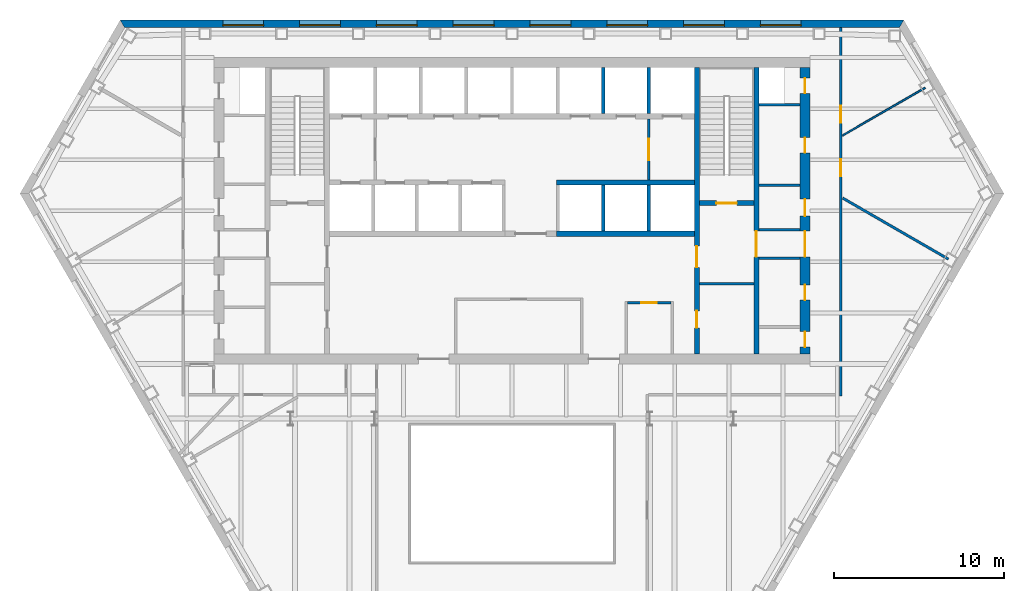
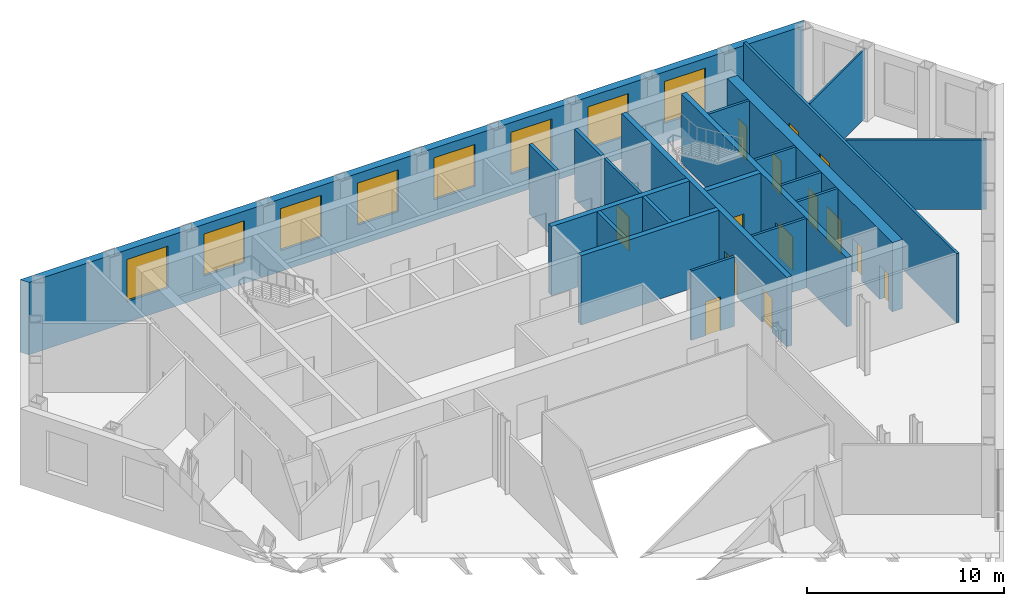
# One storey, part 7 of 11: 21 walls, 14 doors, 8 windows, 22 openings.
"""IFC4 building model written with IfcOpenShell, lengths in metres."""

from ifc_helpers import new_model, si_unit, direction, frame, frame_2d, origin, place, context, subcontext, project, spatial, polyline, rectangle, outline, extrude, material, layer, layer_set, type_object, element, fill, save


model = new_model("IFC4")

# Units and contexts
model_context = context("Model", 3, precision=1e-05, world=origin(), true_north=direction((0.0, 1.0)))
body_context = subcontext(model_context, "Body", "Model", "MODEL_VIEW")
ifc_project = project(units=[si_unit("LENGTHUNIT", "METRE"), si_unit("AREAUNIT", "SQUARE_METRE"), si_unit("VOLUMEUNIT", "CUBIC_METRE"), si_unit("PLANEANGLEUNIT", "RADIAN"), si_unit("MASSUNIT", "GRAM", prefix="KILO")], contexts=[model_context])

# Site, building, storey
site_placement = place(None, origin())
site = spatial("IfcSite", under=ifc_project, at=site_placement, CompositionType="ELEMENT")
building_placement = place(site_placement, origin())
building = spatial("IfcBuilding", under=site, at=building_placement, Name="Njiva Tower", CompositionType="ELEMENT")
storey_placement = place(building_placement, frame((0.0, 0.0, 42.3)))
storey = spatial("IfcBuildingStorey", under=building, at=storey_placement, Name="L08", CompositionType="ELEMENT", Elevation=42.3)

# Walls
ifc_material_1 = material(Name="Blockwork", Category="masonry")
ifc_layer_1 = layer(ifc_material_1, 0.15)
ifc_layer_set_1 = layer_set([ifc_layer_1], Name="Blockwork")
wall_type_1 = type_object("IfcWallType", Name="WT1 Compartment partition 150", PredefinedType="PARTITIONING", material=ifc_layer_set_1)
wall_1_placement = place(storey_placement, frame((11.0, 4.725, 0.0), z_axis=(0.0, 0.0, 1.0), x_axis=(1.0, 0.0, 0.0)))
element("IfcWall", 1, at=wall_1_placement, inside=storey, type_object=wall_type_1, Name="Room wall B", PredefinedType="PARTITIONING", context=body_context, shape_type="SweptSolid", body=[
    extrude(rectangle(XDim=3.2, YDim=0.15, at=frame_2d((1.6, 0.0))), origin(), (0.0, 0.0, 1.0), 4.3),
])
wall_2_placement = place(storey_placement, frame((14.5, 10.4885, 0.0), z_axis=(0.0, 0.0, 1.0), x_axis=(1.0, 0.0, 0.0)))
element("IfcWall", 2, at=wall_2_placement, inside=storey, type_object=wall_type_1, Name="Partition strip E10", PredefinedType="PARTITIONING", context=body_context, shape_type="SweptSolid", body=[
    extrude(rectangle(XDim=2.4, YDim=0.15, at=frame_2d((1.2, 0.0))), origin(), (0.0, 0.0, 1.0), 4.3),
])

# Wall, opening, door
wall_3_placement = place(storey_placement, frame((6.775, 3.6, 0.0), z_axis=(0.0, 0.0, 1.0), x_axis=(1.0, 0.0, 0.0)))
wall_3 = element("IfcWall", 3, at=wall_3_placement, inside=storey, type_object=wall_type_1, Name="Tenant reception wall north", PredefinedType="PARTITIONING", context=body_context, shape_type="SweptSolid", body=[
    extrude(rectangle(XDim=2.55, YDim=0.15, at=frame_2d((1.275, 0.0))), origin(), (0.0, 0.0, 1.0), 4.3),
])
opening_1_placement = place(wall_3_placement, frame((0.825, 0.0, 0.0)))
opening_1 = element("IfcOpeningElement", 4, at=opening_1_placement, cuts=wall_3, Name="Opening S02-D935", PredefinedType="OPENING", context=body_context, shape_type="SweptSolid", body=[
    extrude(rectangle(XDim=0.9, YDim=2.1, at=frame_2d((0.45, 1.05))), frame((0.0, 0.085, 0.0), z_axis=(0.0, -1.0, 0.0), x_axis=(1.0, 0.0, 0.0)), (0.0, 0.0, 1.0), 0.17),
])
ifc_material_2 = material(Name="Steel fire door, painted", Category="steel")
door_type_1 = type_object("IfcDoorType", Name="D6 Fire-rated door 900x2100", OperationType="SINGLE_SWING_LEFT", PredefinedType="DOOR", material=ifc_material_2)
door_1_placement = place(opening_1_placement, origin())
door_1 = element("IfcDoor", 5, at=door_1_placement, inside=storey, type_object=door_type_1, Name="Tenant reception door", OperationType="SINGLE_SWING_RIGHT", OverallHeight=2.1, OverallWidth=0.9, PredefinedType="DOOR", context=body_context, shape_type="SweptSolid", body=[
    extrude(rectangle(XDim=0.9, YDim=2.1, at=frame_2d((0.45, 1.05))), frame((0.0, 0.025, 0.0), z_axis=(0.0, -1.0, 0.0), x_axis=(1.0, 0.0, 0.0)), (0.0, 0.0, 1.0), 0.05),
])
fill(opening_1, door_1)

# Wall, openings, doors
ifc_material_3 = material(Name="Concrete C40/50", Category="concrete")
ifc_layer_2 = layer(ifc_material_3, 0.3)
ifc_layer_set_2 = layer_set([ifc_layer_2], Name="Concrete C40/50")
wall_type_2 = type_object("IfcWallType", Name="WT10 Stair enclosure wall 300", PredefinedType="SHEAR", material=ifc_layer_set_2)
wall_4_placement = place(storey_placement, frame((10.85, 0.6, 0.0), z_axis=(0.0, 0.0, 1.0), x_axis=(0.0, 1.0, 0.0)))
wall_4 = element("IfcWall", 6, at=wall_4_placement, inside=storey, type_object=wall_type_2, Name="Stair wall east inner", PredefinedType="SHEAR", context=body_context, shape_type="SweptSolid", body=[
    extrude(rectangle(XDim=16.8, YDim=0.3, at=frame_2d((8.4, 0.0))), origin(), (0.0, 0.0, 1.0), 4.3),
])
opening_2_placement = place(wall_4_placement, frame((5.075, 0.0, 0.0)))
opening_2 = element("IfcOpeningElement", 7, at=opening_2_placement, cuts=wall_4, Name="Opening S02-D918", PredefinedType="OPENING", context=body_context, shape_type="SweptSolid", body=[
    extrude(rectangle(XDim=1.25, YDim=2.1, at=frame_2d((0.625, 1.05))), frame((0.0, 0.16, 0.0), z_axis=(0.0, -1.0, 0.0), x_axis=(1.0, 0.0, 0.0)), (0.0, 0.0, 1.0), 0.32),
])
opening_3_placement = place(wall_4_placement, frame((1.525, 0.0, 0.0)))
opening_3 = element("IfcOpeningElement", 8, at=opening_3_placement, cuts=wall_4, Name="Opening S02-D919", PredefinedType="OPENING", context=body_context, shape_type="SweptSolid", body=[
    extrude(rectangle(XDim=1.0, YDim=2.1, at=frame_2d((0.5, 1.05))), frame((0.0, 0.16, 0.0), z_axis=(0.0, -1.0, 0.0), x_axis=(1.0, 0.0, 0.0)), (0.0, 0.0, 1.0), 0.32),
])
ifc_material_4 = material(Name="Steel door, painted", Category="steel")
door_type_2 = type_object("IfcDoorType", Name="D5 Steel door 1000x2100", OperationType="SINGLE_SWING_LEFT", PredefinedType="DOOR", material=ifc_material_4)
door_2_placement = place(opening_3_placement, origin())
door_2 = element("IfcDoor", 9, at=door_2_placement, inside=storey, type_object=door_type_2, Name="Prayer room door", OperationType="SINGLE_SWING_LEFT", OverallHeight=2.1, OverallWidth=1.0, PredefinedType="DOOR", context=body_context, shape_type="SweptSolid", body=[
    extrude(rectangle(XDim=1.0, YDim=2.1, at=frame_2d((0.5, 1.05))), frame((0.0, 0.025, 0.0), z_axis=(0.0, -1.0, 0.0), x_axis=(1.0, 0.0, 0.0)), (0.0, 0.0, 1.0), 0.05),
])
fill(opening_3, door_2)
ifc_material_5 = material(Name="Glazed steel fire door", Category="steel")
door_type_3 = type_object("IfcDoorType", Name="D8 Vestibule corridor door 1250x2100 glazed", OperationType="SINGLE_SWING_LEFT", PredefinedType="DOOR", material=ifc_material_5)
door_3_placement = place(opening_2_placement, origin())
door_3 = element("IfcDoor", 10, at=door_3_placement, inside=storey, type_object=door_type_3, Name="Stair vestibule corridor door", OperationType="SINGLE_SWING_RIGHT", OverallHeight=2.1, OverallWidth=1.25, PredefinedType="DOOR", context=body_context, shape_type="SweptSolid", body=[
    extrude(rectangle(XDim=1.25, YDim=2.1, at=frame_2d((0.625, 1.05))), frame((0.0, 0.025, 0.0), z_axis=(0.0, -1.0, 0.0), x_axis=(1.0, 0.0, 0.0)), (0.0, 0.0, 1.0), 0.05),
])
fill(opening_2, door_3)

# Wall, opening, door
wall_5_placement = place(storey_placement, frame((14.35, 0.6, 0.0), z_axis=(0.0, 0.0, 1.0), x_axis=(0.0, 1.0, 0.0)))
wall_5 = element("IfcWall", 11, at=wall_5_placement, inside=storey, type_object=wall_type_2, Name="Stair wall east outer", PredefinedType="SHEAR", context=body_context, shape_type="SweptSolid", body=[
    extrude(rectangle(XDim=16.8, YDim=0.3, at=frame_2d((8.4, 0.0))), origin(), (0.0, 0.0, 1.0), 4.3),
])
opening_4_placement = place(wall_5_placement, frame((5.7, 0.0, 0.0)))
opening_4 = element("IfcOpeningElement", 12, at=opening_4_placement, cuts=wall_5, Name="Opening S02-D927", PredefinedType="OPENING", context=body_context, shape_type="SweptSolid", body=[
    extrude(rectangle(XDim=1.5, YDim=2.1, at=frame_2d((0.75, 1.05))), frame((0.0, 0.16, 0.0), z_axis=(0.0, -1.0, 0.0), x_axis=(1.0, 0.0, 0.0)), (0.0, 0.0, 1.0), 0.32),
])
door_type_4 = type_object("IfcDoorType", Name="D10 Exit door double 1500x2100 glazed", OperationType="DOUBLE_DOOR_SINGLE_SWING", PredefinedType="DOOR", material=ifc_material_5)
door_4_placement = place(opening_4_placement, origin())
door_4 = element("IfcDoor", 13, at=door_4_placement, inside=storey, type_object=door_type_4, Name="Stair B passage door", OperationType="DOUBLE_DOOR_SINGLE_SWING", OverallHeight=2.1, OverallWidth=1.5, PredefinedType="DOOR", context=body_context, shape_type="SweptSolid", body=[
    extrude(rectangle(XDim=1.5, YDim=2.1, at=frame_2d((0.75, 1.05))), frame((0.0, 0.025, 0.0), z_axis=(0.0, -1.0, 0.0), x_axis=(1.0, 0.0, 0.0)), (0.0, 0.0, 1.0), 0.05),
])
fill(opening_4, door_4)

wall_6_placement = place(storey_placement, frame((11.0, 9.45, 0.0), z_axis=(0.0, 0.0, 1.0), x_axis=(1.0, 0.0, 0.0)))
wall_6 = element("IfcWall", 14, at=wall_6_placement, inside=storey, type_object=wall_type_2, Name="Stair B south wall", PredefinedType="SHEAR", context=body_context, shape_type="SweptSolid", body=[
    extrude(rectangle(XDim=3.2, YDim=0.3, at=frame_2d((1.6, 0.0))), origin(), (0.0, 0.0, 1.0), 4.3),
])
opening_5_placement = place(wall_6_placement, frame((1.0, 0.0, 0.0)))
opening_5 = element("IfcOpeningElement", 15, at=opening_5_placement, cuts=wall_6, Name="Opening S02-D917", PredefinedType="OPENING", context=body_context, shape_type="SweptSolid", body=[
    extrude(rectangle(XDim=1.2, YDim=2.1, at=frame_2d((0.6, 1.05))), frame((0.0, 0.16, 0.0), z_axis=(0.0, -1.0, 0.0), x_axis=(1.0, 0.0, 0.0)), (0.0, 0.0, 1.0), 0.32),
])
door_type_5 = type_object("IfcDoorType", Name="D7 Stair vestibule door 1200x2100 glazed", OperationType="SINGLE_SWING_LEFT", PredefinedType="DOOR", material=ifc_material_5)
door_5_placement = place(opening_5_placement, origin())
door_5 = element("IfcDoor", 16, at=door_5_placement, inside=storey, type_object=door_type_5, Name="Stair B door", OperationType="SINGLE_SWING_LEFT", OverallHeight=2.1, OverallWidth=1.2, PredefinedType="DOOR", context=body_context, shape_type="SweptSolid", body=[
    extrude(rectangle(XDim=1.2, YDim=2.1, at=frame_2d((0.6, 1.05))), frame((0.0, 0.025, 0.0), z_axis=(0.0, -1.0, 0.0), x_axis=(1.0, 0.0, 0.0)), (0.0, 0.0, 1.0), 0.05),
])
fill(opening_5, door_5)

# Wall, openings, doors
ifc_material_6 = material(Name="Concrete C60/75", Category="concrete")
ifc_layer_3 = layer(ifc_material_6, 0.6)
ifc_layer_set_3 = layer_set([ifc_layer_3], Name="Concrete C60/75")
wall_type_3 = type_object("IfcWallType", Name="WT15 Core wall 600", PredefinedType="SHEAR", material=ifc_layer_set_3)
wall_7_placement = place(storey_placement, frame((17.2, 0.6, 0.0), z_axis=(0.0, 0.0, 1.0), x_axis=(0.0, 1.0, 0.0)))
wall_7 = element("IfcWall", 17, at=wall_7_placement, inside=storey, type_object=wall_type_3, Name="Core wall east", PredefinedType="SHEAR", context=body_context, shape_type="SweptSolid", body=[
    extrude(rectangle(XDim=16.8, YDim=0.6, at=frame_2d((8.4, 0.0))), origin(), (0.0, 0.0, 1.0), 4.3),
])
opening_6_placement = place(wall_7_placement, frame((5.7, 0.0, 0.0)))
opening_6 = element("IfcOpeningElement", 18, at=opening_6_placement, cuts=wall_7, Name="Opening S02-D928", PredefinedType="OPENING", context=body_context, shape_type="SweptSolid", body=[
    extrude(rectangle(XDim=1.5, YDim=2.1, at=frame_2d((0.75, 1.05))), frame((0.0, 0.31, 0.0), z_axis=(0.0, -1.0, 0.0), x_axis=(1.0, 0.0, 0.0)), (0.0, 0.0, 1.0), 0.62),
])
opening_7_placement = place(wall_7_placement, frame((0.4, 0.0, 0.0)))
opening_7 = element("IfcOpeningElement", 19, at=opening_7_placement, cuts=wall_7, Name="Opening S02-D929", PredefinedType="OPENING", context=body_context, shape_type="SweptSolid", body=[
    extrude(rectangle(XDim=0.9, YDim=2.1, at=frame_2d((0.45, 1.05))), frame((0.0, 0.31, 0.0), z_axis=(0.0, -1.0, 0.0), x_axis=(1.0, 0.0, 0.0)), (0.0, 0.0, 1.0), 0.62),
])
opening_8_placement = place(wall_7_placement, frame((3.15, 0.0, 0.0)))
opening_8 = element("IfcOpeningElement", 20, at=opening_8_placement, cuts=wall_7, Name="Opening S02-D930", PredefinedType="OPENING", context=body_context, shape_type="SweptSolid", body=[
    extrude(rectangle(XDim=0.9, YDim=2.1, at=frame_2d((0.45, 1.05))), frame((0.0, 0.31, 0.0), z_axis=(0.0, -1.0, 0.0), x_axis=(1.0, 0.0, 0.0)), (0.0, 0.0, 1.0), 0.62),
])
opening_9_placement = place(wall_7_placement, frame((8.0817, 0.0, 0.0)))
opening_9 = element("IfcOpeningElement", 21, at=opening_9_placement, cuts=wall_7, Name="Opening S02-D931", PredefinedType="OPENING", context=body_context, shape_type="SweptSolid", body=[
    extrude(rectangle(XDim=1.0, YDim=2.1, at=frame_2d((0.5, 1.05))), frame((0.0, 0.31, 0.0), z_axis=(0.0, -1.0, 0.0), x_axis=(1.0, 0.0, 0.0)), (0.0, 0.0, 1.0), 0.62),
])
opening_10_placement = place(wall_7_placement, frame((11.801, 0.0, 0.0)))
opening_10 = element("IfcOpeningElement", 22, at=opening_10_placement, cuts=wall_7, Name="Opening S02-D932", PredefinedType="OPENING", context=body_context, shape_type="SweptSolid", body=[
    extrude(rectangle(XDim=0.9, YDim=2.1, at=frame_2d((0.45, 1.05))), frame((0.0, 0.31, 0.0), z_axis=(0.0, -1.0, 0.0), x_axis=(1.0, 0.0, 0.0)), (0.0, 0.0, 1.0), 0.62),
])
opening_11_placement = place(wall_7_placement, frame((15.2942, 0.0, 0.0)))
opening_11 = element("IfcOpeningElement", 23, at=opening_11_placement, cuts=wall_7, Name="Opening S02-D933", PredefinedType="OPENING", context=body_context, shape_type="SweptSolid", body=[
    extrude(rectangle(XDim=0.9, YDim=2.1, at=frame_2d((0.45, 1.05))), frame((0.0, 0.31, 0.0), z_axis=(0.0, -1.0, 0.0), x_axis=(1.0, 0.0, 0.0)), (0.0, 0.0, 1.0), 0.62),
])
door_6_placement = place(opening_6_placement, origin())
door_6 = element("IfcDoor", 24, at=door_6_placement, inside=storey, type_object=door_type_4, Name="Stair B corridor door", OperationType="DOUBLE_DOOR_SINGLE_SWING", OverallHeight=2.1, OverallWidth=1.5, PredefinedType="DOOR", context=body_context, shape_type="SweptSolid", body=[
    extrude(rectangle(XDim=1.5, YDim=2.1, at=frame_2d((0.75, 1.05))), frame((0.0, 0.025, 0.0), z_axis=(0.0, -1.0, 0.0), x_axis=(1.0, 0.0, 0.0)), (0.0, 0.0, 1.0), 0.05),
])
fill(opening_6, door_6)
door_type_6 = type_object("IfcDoorType", Name="D4 Riser door 900x2100", OperationType="SINGLE_SWING_LEFT", PredefinedType="DOOR", material=ifc_material_4)
door_7_placement = place(opening_11_placement, origin())
door_7 = element("IfcDoor", 25, at=door_7_placement, inside=storey, type_object=door_type_6, Name="Riser door", OperationType="SINGLE_SWING_RIGHT", OverallHeight=2.1, OverallWidth=0.9, PredefinedType="DOOR", context=body_context, shape_type="SweptSolid", body=[
    extrude(rectangle(XDim=0.9, YDim=2.1, at=frame_2d((0.45, 1.05))), frame((0.0, 0.025, 0.0), z_axis=(0.0, -1.0, 0.0), x_axis=(1.0, 0.0, 0.0)), (0.0, 0.0, 1.0), 0.05),
])
fill(opening_11, door_7)
door_8_placement = place(opening_9_placement, origin())
door_8 = element("IfcDoor", 26, at=door_8_placement, inside=storey, type_object=door_type_2, Name="Electrical room door", OperationType="SINGLE_SWING_LEFT", OverallHeight=2.1, OverallWidth=1.0, PredefinedType="DOOR", context=body_context, shape_type="SweptSolid", body=[
    extrude(rectangle(XDim=1.0, YDim=2.1, at=frame_2d((0.5, 1.05))), frame((0.0, 0.025, 0.0), z_axis=(0.0, -1.0, 0.0), x_axis=(1.0, 0.0, 0.0)), (0.0, 0.0, 1.0), 0.05),
])
fill(opening_9, door_8)
door_9_placement = place(opening_7_placement, origin())
door_9 = element("IfcDoor", 27, at=door_9_placement, inside=storey, type_object=door_type_1, Name="Cleaner's store door", OperationType="SINGLE_SWING_RIGHT", OverallHeight=2.1, OverallWidth=0.9, PredefinedType="DOOR", context=body_context, shape_type="SweptSolid", body=[
    extrude(rectangle(XDim=0.9, YDim=2.1, at=frame_2d((0.45, 1.05))), frame((0.0, 0.025, 0.0), z_axis=(0.0, -1.0, 0.0), x_axis=(1.0, 0.0, 0.0)), (0.0, 0.0, 1.0), 0.05),
])
fill(opening_7, door_9)
door_10_placement = place(opening_8_placement, origin())
door_10 = element("IfcDoor", 28, at=door_10_placement, inside=storey, type_object=door_type_1, Name="Reading room door", OperationType="SINGLE_SWING_RIGHT", OverallHeight=2.1, OverallWidth=0.9, PredefinedType="DOOR", context=body_context, shape_type="SweptSolid", body=[
    extrude(rectangle(XDim=0.9, YDim=2.1, at=frame_2d((0.45, 1.05))), frame((0.0, 0.025, 0.0), z_axis=(0.0, -1.0, 0.0), x_axis=(1.0, 0.0, 0.0)), (0.0, 0.0, 1.0), 0.05),
])
fill(opening_8, door_10)
door_11_placement = place(opening_10_placement, origin())
door_11 = element("IfcDoor", 29, at=door_11_placement, inside=storey, type_object=door_type_1, Name="Prayer room door", OperationType="SINGLE_SWING_LEFT", OverallHeight=2.1, OverallWidth=0.9, PredefinedType="DOOR", context=body_context, shape_type="SweptSolid", body=[
    extrude(rectangle(XDim=0.9, YDim=2.1, at=frame_2d((0.45, 1.05))), frame((0.0, 0.025, 0.0), z_axis=(0.0, -1.0, 0.0), x_axis=(1.0, 0.0, 0.0)), (0.0, 0.0, 1.0), 0.05),
])
fill(opening_10, door_11)

# Wall, opening, door
ifc_layer_4 = layer(ifc_material_1, 0.15)
ifc_layer_set_4 = layer_set([ifc_layer_4], Name="Blockwork")
wall_type_4 = type_object("IfcWallType", Name="WT2 Lobby partition 150", PredefinedType="PARTITIONING", material=ifc_layer_set_4)
wall_8_placement = place(storey_placement, frame((8.025, 10.8, 0.0), z_axis=(0.0, 0.0, 1.0), x_axis=(0.0, 1.0, 0.0)))
wall_8 = element("IfcWall", 30, at=wall_8_placement, inside=storey, type_object=wall_type_4, Name="Firefighting lobby wall B", PredefinedType="PARTITIONING", context=body_context, shape_type="SweptSolid", body=[
    extrude(rectangle(XDim=3.6, YDim=0.15, at=frame_2d((1.8, 0.0))), origin(), (0.0, 0.0, 1.0), 4.3),
])
opening_12_placement = place(wall_8_placement, frame((1.175, 0.0, 0.0)))
opening_12 = element("IfcOpeningElement", 31, at=opening_12_placement, cuts=wall_8, Name="Opening S02-D916", PredefinedType="OPENING", context=body_context, shape_type="SweptSolid", body=[
    extrude(rectangle(XDim=1.25, YDim=2.1, at=frame_2d((0.625, 1.05))), frame((0.0, 0.085, 0.0), z_axis=(0.0, -1.0, 0.0), x_axis=(1.0, 0.0, 0.0)), (0.0, 0.0, 1.0), 0.17),
])
door_12_placement = place(opening_12_placement, origin())
door_12 = element("IfcDoor", 32, at=door_12_placement, inside=storey, type_object=door_type_3, Name="Stair vestibule corridor door", OperationType="SINGLE_SWING_LEFT", OverallHeight=2.1, OverallWidth=1.25, PredefinedType="DOOR", context=body_context, shape_type="SweptSolid", body=[
    extrude(rectangle(XDim=1.25, YDim=2.1, at=frame_2d((0.625, 1.05))), frame((0.0, 0.025, 0.0), z_axis=(0.0, -1.0, 0.0), x_axis=(1.0, 0.0, 0.0)), (0.0, 0.0, 1.0), 0.05),
])
fill(opening_12, door_12)

# Wall
ifc_material_7 = material(Name="Gypsum board on steel studs", Category="gypsum")
ifc_layer_5 = layer(ifc_material_7, 0.1)
ifc_layer_set_5 = layer_set([ifc_layer_5], Name="Gypsum board on steel studs")
wall_type_5 = type_object("IfcWallType", Name="WT20 Gypsum partition 100", PredefinedType="PARTITIONING", material=ifc_layer_set_5)
wall_9_placement = place(storey_placement, frame((19.401, 13.416, 0.0), z_axis=(0.0, 0.0, 1.0), x_axis=(0.866108468144, 0.499856100702, 0.0)))
element("IfcWall", 33, at=wall_9_placement, inside=storey, type_object=wall_type_5, Name="Partition S02-P020", PredefinedType="PARTITIONING", context=body_context, shape_type="SweptSolid", body=[
    extrude(rectangle(XDim=5.6136, YDim=0.1, at=frame_2d((2.8068, 0.0))), origin(), (0.0, 0.0, 1.0), 4.3),
])

# Wall, openings, doors
ifc_layer_6 = layer(ifc_material_7, 0.15)
ifc_layer_set_6 = layer_set([ifc_layer_6], Name="Gypsum board on steel studs")
wall_type_6 = type_object("IfcWallType", Name="WT21 Compartment wall 150", PredefinedType="PARTITIONING", material=ifc_layer_set_6)
wall_10_placement = place(storey_placement, frame((19.3, -1.875, 0.0), z_axis=(0.0, 0.0, 1.0), x_axis=(4.6242775e-05, 0.999999998931, 0.0)))
wall_10 = element("IfcWall", 34, at=wall_10_placement, inside=storey, type_object=wall_type_6, Name="Partition S02-P019", PredefinedType="PARTITIONING", context=body_context, shape_type="SweptSolid", body=[
    extrude(rectangle(XDim=21.625, YDim=0.15, at=frame_2d((10.8125, 0.0))), origin(), (0.0, 0.0, 1.0), 4.3),
])
opening_13_placement = place(wall_10_placement, frame((12.908, 0.0, 0.0)))
opening_13 = element("IfcOpeningElement", 35, at=opening_13_placement, cuts=wall_10, Name="Opening S02-D012", PredefinedType="OPENING", context=body_context, shape_type="SweptSolid", body=[
    extrude(rectangle(XDim=1.0, YDim=2.1, at=frame_2d((0.5, 1.05))), frame((0.0, 0.085, 0.0), z_axis=(0.0, -1.0, 0.0), x_axis=(1.0, 0.0, 0.0)), (0.0, 0.0, 1.0), 0.17),
])
opening_14_placement = place(wall_10_placement, frame((16.038, 0.0, 0.0)))
opening_14 = element("IfcOpeningElement", 36, at=opening_14_placement, cuts=wall_10, Name="Opening S02-D013", PredefinedType="OPENING", context=body_context, shape_type="SweptSolid", body=[
    extrude(rectangle(XDim=1.0, YDim=2.1, at=frame_2d((0.5, 1.05))), frame((0.0, 0.085, 0.0), z_axis=(0.0, -1.0, 0.0), x_axis=(1.0, 0.0, 0.0)), (0.0, 0.0, 1.0), 0.17),
])
ifc_material_8 = material(Name="Steel fire door set", Category="steel")
door_type_7 = type_object("IfcDoorType", Name="D37 Fire door 1000x2100", OperationType="SINGLE_SWING_LEFT", PredefinedType="DOOR", material=ifc_material_8)
door_13_placement = place(opening_13_placement, origin())
door_13 = element("IfcDoor", 37, at=door_13_placement, inside=storey, type_object=door_type_7, Name="Door S02-D012", OperationType="SINGLE_SWING_RIGHT", OverallHeight=2.1, OverallWidth=1.0, PredefinedType="DOOR", context=body_context, shape_type="SweptSolid", body=[
    extrude(rectangle(XDim=1.0, YDim=2.1, at=frame_2d((0.5, 1.05))), frame((0.0, 0.025, 0.0), z_axis=(0.0, -1.0, 0.0), x_axis=(1.0, 0.0, 0.0)), (0.0, 0.0, 1.0), 0.05),
])
fill(opening_13, door_13)
door_14_placement = place(opening_14_placement, origin())
door_14 = element("IfcDoor", 38, at=door_14_placement, inside=storey, type_object=door_type_7, Name="Door S02-D013", OperationType="SINGLE_SWING_RIGHT", OverallHeight=2.1, OverallWidth=1.0, PredefinedType="DOOR", context=body_context, shape_type="SweptSolid", body=[
    extrude(rectangle(XDim=1.0, YDim=2.1, at=frame_2d((0.5, 1.05))), frame((0.0, 0.025, 0.0), z_axis=(0.0, -1.0, 0.0), x_axis=(1.0, 0.0, 0.0)), (0.0, 0.0, 1.0), 0.05),
])
fill(opening_14, door_14)

# Walls
wall_11_placement = place(storey_placement, frame((19.413, 9.746, 0.0), z_axis=(0.0, 0.0, 1.0), x_axis=(0.865976502062, -0.500084690704, 0.0)))
element("IfcWall", 39, at=wall_11_placement, inside=storey, type_object=wall_type_6, Name="Partition S02-P021", PredefinedType="PARTITIONING", context=body_context, shape_type="SweptSolid", body=[
    extrude(rectangle(XDim=7.1688, YDim=0.15, at=frame_2d((3.5844, 0.0))), origin(), (0.0, 0.0, 1.0), 4.3),
])
ifc_layer_7 = layer(ifc_material_1, 0.15)
ifc_layer_set_7 = layer_set([ifc_layer_7], Name="Blockwork")
wall_type_7 = type_object("IfcWallType", Name="WT3 Riser partition 150", PredefinedType="PARTITIONING", material=ifc_layer_set_7)
wall_12_placement = place(storey_placement, frame((14.5, 15.2135, 0.0), z_axis=(0.0, 0.0, 1.0), x_axis=(1.0, 0.0, 0.0)))
element("IfcWall", 40, at=wall_12_placement, inside=storey, type_object=wall_type_7, Name="Partition strip E11", PredefinedType="PARTITIONING", context=body_context, shape_type="SweptSolid", body=[
    extrude(rectangle(XDim=2.4, YDim=0.15, at=frame_2d((1.2, 0.0))), origin(), (0.0, 0.0, 1.0), 4.3),
])
ifc_layer_8 = layer(ifc_material_1, 0.15)
ifc_layer_set_8 = layer_set([ifc_layer_8], Name="Blockwork")
wall_type_8 = type_object("IfcWallType", Name="WT4 Stair partition 150", PredefinedType="PARTITIONING", material=ifc_layer_set_8)
for number, where, z_axis, x_axis, name in (
    (41, (14.5, 6.225, 0.0), (0.0, 0.0, 1.0), (1.0, 0.0, 0.0), "Stair B exit passage wall south"),
    (42, (14.5, 7.875, 0.0), (0.0, 0.0, 1.0), (1.0, 0.0, 0.0), "Stair B exit passage wall north"),
):
    element("IfcWall", number, at=place(storey_placement, frame(where, z_axis=z_axis, x_axis=x_axis)), inside=storey, type_object=wall_type_8, Name=name, PredefinedType="PARTITIONING", context=body_context, shape_type="SweptSolid", body=[
        extrude(rectangle(XDim=2.4, YDim=0.15, at=frame_2d((1.2, 0.0))), origin(), (0.0, 0.0, 1.0), 4.3),
    ])
ifc_layer_9 = layer(ifc_material_3, 0.2)
ifc_layer_set_9 = layer_set([ifc_layer_9], Name="Concrete C40/50")
wall_type_9 = type_object("IfcWallType", Name="WT6 Lift shaft wall 200", PredefinedType="SHEAR", material=ifc_layer_set_9)
for number, where, z_axis, x_axis, name in (
    (43, (5.35, 14.7, 0.0), (0.0, 0.0, 1.0), (0.0, 1.0, 0.0), "Shaft wall CN6"),
    (44, (8.025, 14.7, 0.0), (0.0, 0.0, 1.0), (0.0, 1.0, 0.0), "Shaft wall CN7"),
    (45, (5.3667, 7.8, 0.0), (0.0, 0.0, 1.0), (0.0, 1.0, 0.0), "Shaft wall CS6"),
    (46, (8.0333, 7.8, 0.0), (0.0, 0.0, 1.0), (0.0, 1.0, 0.0), "Shaft wall CS7"),
):
    element("IfcWall", number, at=place(storey_placement, frame(where, z_axis=z_axis, x_axis=x_axis)), inside=storey, type_object=wall_type_9, Name=name, PredefinedType="SHEAR", context=body_context, shape_type="SweptSolid", body=[
        extrude(rectangle(XDim=2.7, YDim=0.2, at=frame_2d((1.35, 0.0))), origin(), (0.0, 0.0, 1.0), 4.3),
    ])
ifc_layer_10 = layer(ifc_material_3, 0.3)
ifc_layer_set_10 = layer_set([ifc_layer_10], Name="Concrete C40/50")
wall_type_10 = type_object("IfcWallType", Name="WT7 Lift shaft wall 300", PredefinedType="SHEAR", material=ifc_layer_set_10)
for number, where, z_axis, x_axis, name in (
    (47, (2.6, 10.65, 0.0), (0.0, 0.0, 1.0), (1.0, 0.0, 0.0), "Shaft wall south row lobby side E"),
    (48, (2.6, 7.65, 0.0), (0.0, 0.0, 1.0), (1.0, 0.0, 0.0), "Shaft wall south row back E"),
):
    element("IfcWall", number, at=place(storey_placement, frame(where, z_axis=z_axis, x_axis=x_axis)), inside=storey, type_object=wall_type_10, Name=name, PredefinedType="SHEAR", context=body_context, shape_type="SweptSolid", body=[
        extrude(rectangle(XDim=8.1, YDim=0.3, at=frame_2d((4.05, 0.0))), origin(), (0.0, 0.0, 1.0), 4.3),
    ])

# Wall, openings, windows
ifc_material_9 = material(Name="Brick masonry", Category="masonry")
ifc_layer_11 = layer(ifc_material_9, 0.45)
ifc_layer_set_11 = layer_set([ifc_layer_11], Name="Brick masonry")
wall_type_11 = type_object("IfcWallType", Name="WT90 Brick pier and spandrel wall 450", PredefinedType="SOLIDWALL", material=ifc_layer_set_11)
wall_13_placement = place(storey_placement, frame((22.8751, 19.975, -0.4), z_axis=(0.0, 0.0, 1.0), x_axis=(-1.0, 0.0, 0.0)))
wall_13 = element("IfcWall", 49, at=wall_13_placement, inside=storey, type_object=wall_type_11, Name="Facade wall N", PredefinedType="SOLIDWALL", context=body_context, shape_type="SweptSolid", body=[
    extrude(outline(polyline([(-0.1299, -0.225), (45.8801, -0.225), (45.6203, 0.225), (0.1299, 0.225), (-0.1299, -0.225)])), origin(), (0.0, 0.0, 1.0), 4.5),
])
opening_15_placement = place(wall_13_placement, frame((5.8949, 0.0, 1.3)))
opening_15 = element("IfcOpeningElement", 50, at=opening_15_placement, cuts=wall_13, Name="Opening S02-W01", PredefinedType="OPENING", context=body_context, shape_type="SweptSolid", body=[
    extrude(rectangle(XDim=2.4, YDim=2.6, at=frame_2d((1.2, 1.3))), frame((0.0, 0.235, 0.0), z_axis=(0.0, -1.0, 0.0), x_axis=(1.0, 0.0, 0.0)), (0.0, 0.0, 1.0), 0.47),
])
opening_16_placement = place(wall_13_placement, frame((10.4035, 0.0, 1.3)))
opening_16 = element("IfcOpeningElement", 51, at=opening_16_placement, cuts=wall_13, Name="Opening S02-W02", PredefinedType="OPENING", context=body_context, shape_type="SweptSolid", body=[
    extrude(rectangle(XDim=2.4, YDim=2.6, at=frame_2d((1.2, 1.3))), frame((0.0, 0.235, 0.0), z_axis=(0.0, -1.0, 0.0), x_axis=(1.0, 0.0, 0.0)), (0.0, 0.0, 1.0), 0.47),
])
opening_17_placement = place(wall_13_placement, frame((14.9122, 0.0, 1.3)))
opening_17 = element("IfcOpeningElement", 52, at=opening_17_placement, cuts=wall_13, Name="Opening S02-W03", PredefinedType="OPENING", context=body_context, shape_type="SweptSolid", body=[
    extrude(rectangle(XDim=2.4, YDim=2.6, at=frame_2d((1.2, 1.3))), frame((0.0, 0.235, 0.0), z_axis=(0.0, -1.0, 0.0), x_axis=(1.0, 0.0, 0.0)), (0.0, 0.0, 1.0), 0.47),
])
opening_18_placement = place(wall_13_placement, frame((19.4208, 0.0, 1.3)))
opening_18 = element("IfcOpeningElement", 53, at=opening_18_placement, cuts=wall_13, Name="Opening S02-W04", PredefinedType="OPENING", context=body_context, shape_type="SweptSolid", body=[
    extrude(rectangle(XDim=2.4, YDim=2.6, at=frame_2d((1.2, 1.3))), frame((0.0, 0.235, 0.0), z_axis=(0.0, -1.0, 0.0), x_axis=(1.0, 0.0, 0.0)), (0.0, 0.0, 1.0), 0.47),
])
opening_19_placement = place(wall_13_placement, frame((23.9294, 0.0, 1.3)))
opening_19 = element("IfcOpeningElement", 54, at=opening_19_placement, cuts=wall_13, Name="Opening S02-W05", PredefinedType="OPENING", context=body_context, shape_type="SweptSolid", body=[
    extrude(rectangle(XDim=2.4, YDim=2.6, at=frame_2d((1.2, 1.3))), frame((0.0, 0.235, 0.0), z_axis=(0.0, -1.0, 0.0), x_axis=(1.0, 0.0, 0.0)), (0.0, 0.0, 1.0), 0.47),
])
opening_20_placement = place(wall_13_placement, frame((28.438, 0.0, 1.3)))
opening_20 = element("IfcOpeningElement", 55, at=opening_20_placement, cuts=wall_13, Name="Opening S02-W06", PredefinedType="OPENING", context=body_context, shape_type="SweptSolid", body=[
    extrude(rectangle(XDim=2.4, YDim=2.6, at=frame_2d((1.2, 1.3))), frame((0.0, 0.235, 0.0), z_axis=(0.0, -1.0, 0.0), x_axis=(1.0, 0.0, 0.0)), (0.0, 0.0, 1.0), 0.47),
])
opening_21_placement = place(wall_13_placement, frame((32.9466, 0.0, 1.3)))
opening_21 = element("IfcOpeningElement", 56, at=opening_21_placement, cuts=wall_13, Name="Opening S02-W07", PredefinedType="OPENING", context=body_context, shape_type="SweptSolid", body=[
    extrude(rectangle(XDim=2.4, YDim=2.6, at=frame_2d((1.2, 1.3))), frame((0.0, 0.235, 0.0), z_axis=(0.0, -1.0, 0.0), x_axis=(1.0, 0.0, 0.0)), (0.0, 0.0, 1.0), 0.47),
])
opening_22_placement = place(wall_13_placement, frame((37.4553, 0.0, 1.3)))
opening_22 = element("IfcOpeningElement", 57, at=opening_22_placement, cuts=wall_13, Name="Opening S02-W08", PredefinedType="OPENING", context=body_context, shape_type="SweptSolid", body=[
    extrude(rectangle(XDim=2.4, YDim=2.6, at=frame_2d((1.2, 1.3))), frame((0.0, 0.235, 0.0), z_axis=(0.0, -1.0, 0.0), x_axis=(1.0, 0.0, 0.0)), (0.0, 0.0, 1.0), 0.47),
])
ifc_material_10 = material(Name="Clear glazing in aluminium frame", Category="aluminium")
window_type = type_object("IfcWindowType", Name="W92 Deep-set window 2400x2600", PartitioningType="SINGLE_PANEL", PredefinedType="WINDOW", material=ifc_material_10)
window_1_placement = place(opening_15_placement, origin())
window_1 = element("IfcWindow", 58, at=window_1_placement, inside=storey, type_object=window_type, Name="Window", OverallHeight=2.6, OverallWidth=2.4, PartitioningType="SINGLE_PANEL", PredefinedType="WINDOW", context=body_context, shape_type="SweptSolid", body=[
    extrude(rectangle(XDim=2.4, YDim=2.6, at=frame_2d((1.2, 1.3))), frame((0.0, 0.105, 0.0), z_axis=(0.0, -1.0, 0.0), x_axis=(1.0, 0.0, 0.0)), (0.0, 0.0, 1.0), 0.06),
])
fill(opening_15, window_1)
window_2_placement = place(opening_16_placement, origin())
window_2 = element("IfcWindow", 59, at=window_2_placement, inside=storey, type_object=window_type, Name="Window", OverallHeight=2.6, OverallWidth=2.4, PartitioningType="SINGLE_PANEL", PredefinedType="WINDOW", context=body_context, shape_type="SweptSolid", body=[
    extrude(rectangle(XDim=2.4, YDim=2.6, at=frame_2d((1.2, 1.3))), frame((0.0, 0.105, 0.0), z_axis=(0.0, -1.0, 0.0), x_axis=(1.0, 0.0, 0.0)), (0.0, 0.0, 1.0), 0.06),
])
fill(opening_16, window_2)
window_3_placement = place(opening_17_placement, origin())
window_3 = element("IfcWindow", 60, at=window_3_placement, inside=storey, type_object=window_type, Name="Window", OverallHeight=2.6, OverallWidth=2.4, PartitioningType="SINGLE_PANEL", PredefinedType="WINDOW", context=body_context, shape_type="SweptSolid", body=[
    extrude(rectangle(XDim=2.4, YDim=2.6, at=frame_2d((1.2, 1.3))), frame((0.0, 0.105, 0.0), z_axis=(0.0, -1.0, 0.0), x_axis=(1.0, 0.0, 0.0)), (0.0, 0.0, 1.0), 0.06),
])
fill(opening_17, window_3)
window_4_placement = place(opening_18_placement, origin())
window_4 = element("IfcWindow", 61, at=window_4_placement, inside=storey, type_object=window_type, Name="Window", OverallHeight=2.6, OverallWidth=2.4, PartitioningType="SINGLE_PANEL", PredefinedType="WINDOW", context=body_context, shape_type="SweptSolid", body=[
    extrude(rectangle(XDim=2.4, YDim=2.6, at=frame_2d((1.2, 1.3))), frame((0.0, 0.105, 0.0), z_axis=(0.0, -1.0, 0.0), x_axis=(1.0, 0.0, 0.0)), (0.0, 0.0, 1.0), 0.06),
])
fill(opening_18, window_4)
window_5_placement = place(opening_19_placement, origin())
window_5 = element("IfcWindow", 62, at=window_5_placement, inside=storey, type_object=window_type, Name="Window", OverallHeight=2.6, OverallWidth=2.4, PartitioningType="SINGLE_PANEL", PredefinedType="WINDOW", context=body_context, shape_type="SweptSolid", body=[
    extrude(rectangle(XDim=2.4, YDim=2.6, at=frame_2d((1.2, 1.3))), frame((0.0, 0.105, 0.0), z_axis=(0.0, -1.0, 0.0), x_axis=(1.0, 0.0, 0.0)), (0.0, 0.0, 1.0), 0.06),
])
fill(opening_19, window_5)
window_6_placement = place(opening_20_placement, origin())
window_6 = element("IfcWindow", 63, at=window_6_placement, inside=storey, type_object=window_type, Name="Window", OverallHeight=2.6, OverallWidth=2.4, PartitioningType="SINGLE_PANEL", PredefinedType="WINDOW", context=body_context, shape_type="SweptSolid", body=[
    extrude(rectangle(XDim=2.4, YDim=2.6, at=frame_2d((1.2, 1.3))), frame((0.0, 0.105, 0.0), z_axis=(0.0, -1.0, 0.0), x_axis=(1.0, 0.0, 0.0)), (0.0, 0.0, 1.0), 0.06),
])
fill(opening_20, window_6)
window_7_placement = place(opening_21_placement, origin())
window_7 = element("IfcWindow", 64, at=window_7_placement, inside=storey, type_object=window_type, Name="Window", OverallHeight=2.6, OverallWidth=2.4, PartitioningType="SINGLE_PANEL", PredefinedType="WINDOW", context=body_context, shape_type="SweptSolid", body=[
    extrude(rectangle(XDim=2.4, YDim=2.6, at=frame_2d((1.2, 1.3))), frame((0.0, 0.105, 0.0), z_axis=(0.0, -1.0, 0.0), x_axis=(1.0, 0.0, 0.0)), (0.0, 0.0, 1.0), 0.06),
])
fill(opening_21, window_7)
window_8_placement = place(opening_22_placement, origin())
window_8 = element("IfcWindow", 65, at=window_8_placement, inside=storey, type_object=window_type, Name="Window", OverallHeight=2.6, OverallWidth=2.4, PartitioningType="SINGLE_PANEL", PredefinedType="WINDOW", context=body_context, shape_type="SweptSolid", body=[
    extrude(rectangle(XDim=2.4, YDim=2.6, at=frame_2d((1.2, 1.3))), frame((0.0, 0.105, 0.0), z_axis=(0.0, -1.0, 0.0), x_axis=(1.0, 0.0, 0.0)), (0.0, 0.0, 1.0), 0.06),
])
fill(opening_22, window_8)

save(model, "model.ifc")
